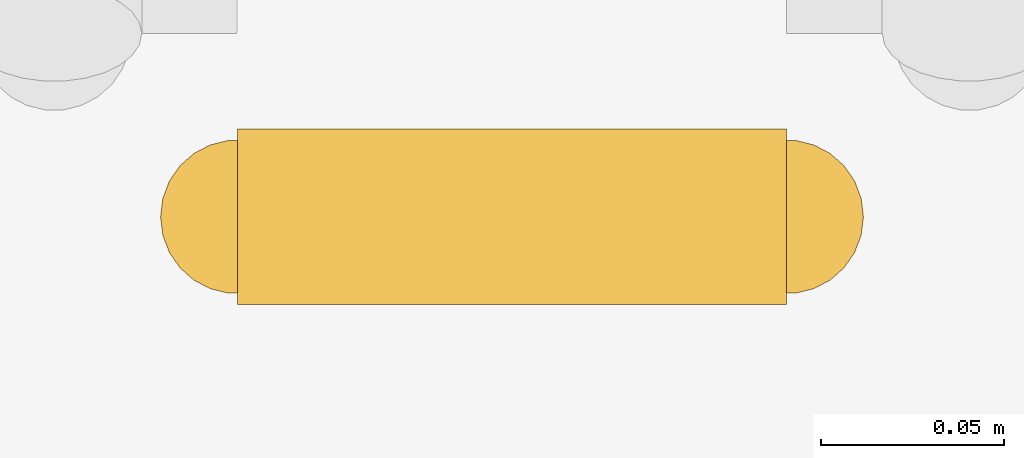
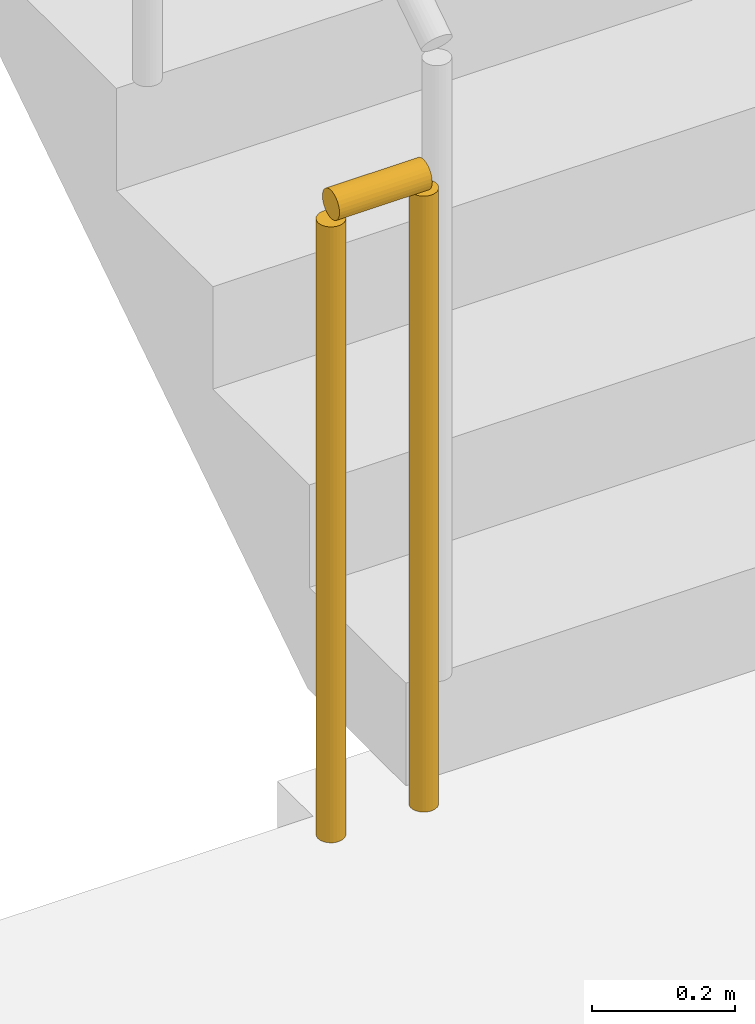
# One storey, part 14 of 19: 1 railing.
"""IFC4 building model written with IfcOpenShell, lengths in metres."""

from ifc_helpers import new_model, si_unit, direction, frame, origin, origin_2d, place, context, subcontext, project, spatial, circle, extrude, material, type_object, element, save


model = new_model("IFC4")

# Units and contexts
model_context = context("Model", 3, precision=1e-05, world=origin(), true_north=direction((0.0, 1.0)))
body_context = subcontext(model_context, "Body", "Model", "MODEL_VIEW")
ifc_project = project(units=[si_unit("LENGTHUNIT", "METRE"), si_unit("AREAUNIT", "SQUARE_METRE"), si_unit("VOLUMEUNIT", "CUBIC_METRE"), si_unit("PLANEANGLEUNIT", "RADIAN"), si_unit("MASSUNIT", "GRAM", prefix="KILO")], contexts=[model_context])

# Site, building, storey
site_placement = place(None, origin())
site = spatial("IfcSite", under=ifc_project, at=site_placement, CompositionType="ELEMENT")
building_placement = place(site_placement, origin())
building = spatial("IfcBuilding", under=site, at=building_placement, Name="Saffron Iwan Residences", CompositionType="ELEMENT")
storey_placement = place(building_placement, frame((0.0, 0.0, 225.5)))
storey = spatial("IfcBuildingStorey", under=building, at=storey_placement, Name="L60", CompositionType="ELEMENT", Elevation=225.5)

# Railing
ifc_material = material(Name="Steel S355", Category="steel")
railing_type = type_object("IfcRailingType", Name="Stair guard 1100", PredefinedType="GUARDRAIL", material=ifc_material)
railing_placement = place(storey_placement, frame((31.25, 67.800048828125, 0.0)))
element("IfcRailing", 1, at=railing_placement, inside=storey, type_object=railing_type, Name="L60 ST-W stair guard 2", PredefinedType="GUARDRAIL", context=body_context, shape_type="SweptSolid", body=[
    extrude(circle(Radius=0.02392578125, at=origin_2d()), frame((0.0, 0.0, 1.076171875), z_axis=(-1.0, 0.0, 0.0), x_axis=(0.0, -1.0, 0.0)), (0.0, 0.0, 1.0), 0.14990234375),
    extrude(circle(Radius=0.02099609375, at=origin_2d()), origin(), (0.0, 0.0, 1.0), 1.052001953125),
    extrude(circle(Radius=0.02099609375, at=origin_2d()), frame((-0.14990234375, 0.0, 0.0)), (0.0, 0.0, 1.0), 1.052001953125),
])

save(model, "model.ifc")
